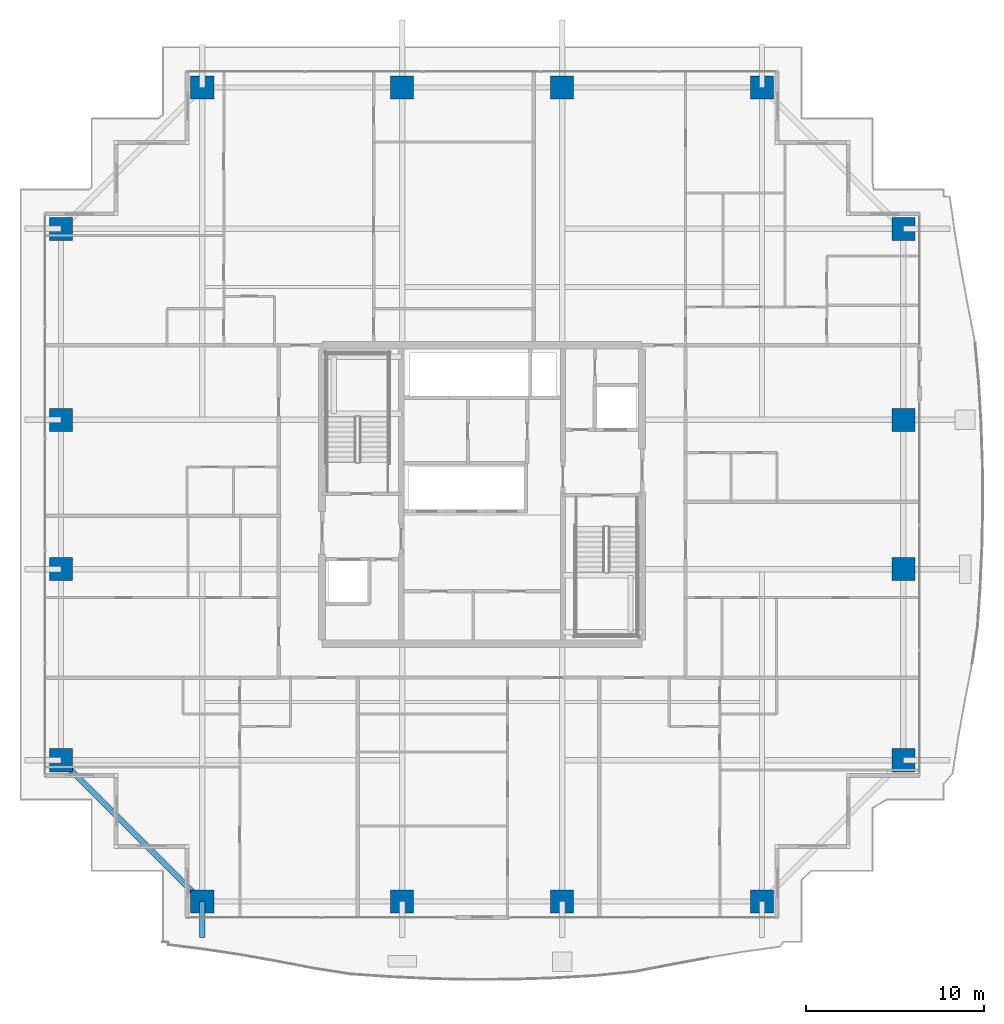
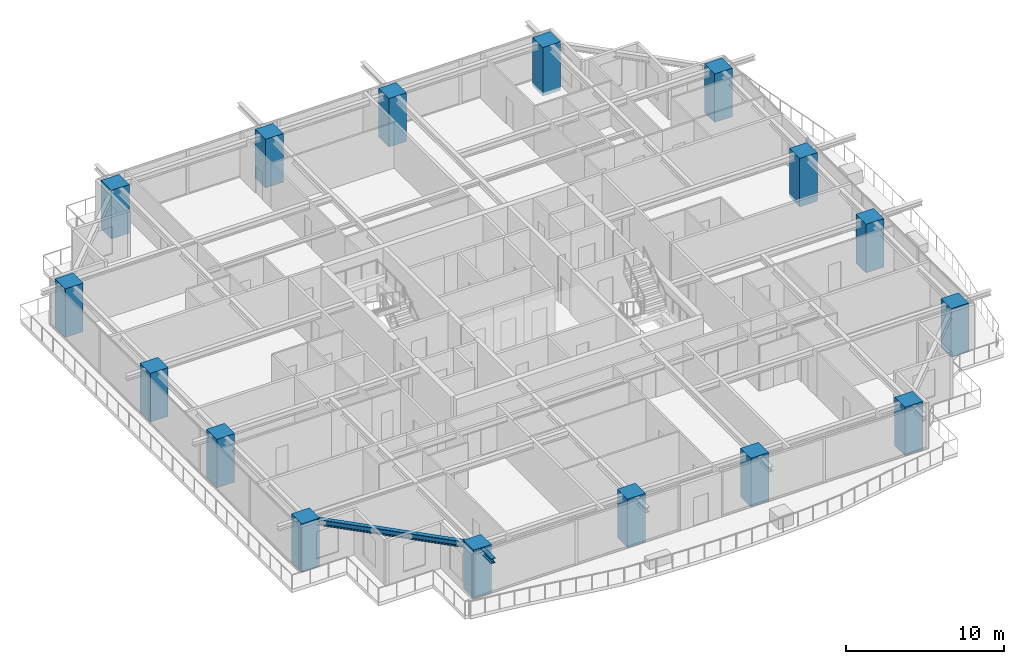
# One storey, part 1 of 36: 16 columns, 2 beams.
"""IFC4 building model written with IfcOpenShell, lengths in metres."""

from ifc_helpers import new_model, si_unit, direction, frame, origin, origin_2d, place, context, subcontext, project, spatial, rectangle, i_section, extrude, source, transform, mapped, material, material_profile, profile_set, type_object, element, save


model = new_model("IFC4")

# Units and contexts
model_context = context("Model", 3, precision=1e-05, world=origin(), true_north=direction((0.0, 1.0)))
body_context = subcontext(model_context, "Body", "Model", "MODEL_VIEW")
ifc_project = project(units=[si_unit("LENGTHUNIT", "METRE"), si_unit("AREAUNIT", "SQUARE_METRE"), si_unit("VOLUMEUNIT", "CUBIC_METRE"), si_unit("PLANEANGLEUNIT", "RADIAN"), si_unit("MASSUNIT", "GRAM", prefix="KILO")], contexts=[model_context])

# Site, building, storey
site_placement = place(None, origin())
site = spatial("IfcSite", under=ifc_project, at=site_placement, CompositionType="ELEMENT")
building_placement = place(site_placement, origin())
building = spatial("IfcBuilding", under=site, at=building_placement, Name="Serunith Strait Residences", CompositionType="ELEMENT")
storey_placement = place(building_placement, frame((0.0, 0.0, 131.39990234375)))
storey = spatial("IfcBuildingStorey", under=building, at=storey_placement, Name="L32", CompositionType="ELEMENT", Elevation=131.39990234375)

# Columns
ifc_material_1 = material(Name="Concrete C80/95", Category="concrete")
ifc_material_profile_1 = material_profile(ifc_material_1, rectangle(XDim=1.300048828125, YDim=1.300048828125, at=origin_2d()), Name="RC 1300x1300")
ifc_profile_set_1 = profile_set([ifc_material_profile_1], Name="Concrete C80/95")
column_type = type_object("IfcColumnType", Name="COL-RC-1300", PredefinedType="COLUMN", material=ifc_profile_set_1)
shared_shape_1 = source(origin(), body_context, "Body", "SweptSolid", [
    extrude(rectangle(XDim=1.300048828125, YDim=1.300048828125, at=origin_2d()), origin(), (0.0, 0.0, 1.0), 3.75),
])
for number, where, z_axis, x_axis, name in (
    (1, (16.64990234375, 2.300048828125, -0.260009765625), (0.0, 0.0, 1.0), (1.0, 0.0, 0.0), "L32 Tower Mega-Column TC-S1"),
    (2, (27.89990234375, 2.300048828125, -0.260009765625), (0.0, 0.0, 1.0), (1.0, 0.0, 0.0), "L32 Tower Mega-Column TC-S2"),
    (3, (36.89990234375, 2.300048828125, -0.260009765625), (0.0, 0.0, 1.0), (1.0, 0.0, 0.0), "L32 Tower Mega-Column TC-S3"),
    (4, (48.14990234375, 2.300048828125, -0.260009765625), (0.0, 0.0, 1.0), (1.0, 0.0, 0.0), "L32 Tower Mega-Column TC-S4"),
    (5, (16.64990234375, 48.10009765625, -0.260009765625), (0.0, 0.0, 1.0), (1.0, 0.0, 0.0), "L32 Tower Mega-Column TC-N1"),
    (6, (27.89990234375, 48.10009765625, -0.260009765625), (0.0, 0.0, 1.0), (1.0, 0.0, 0.0), "L32 Tower Mega-Column TC-N2"),
    (7, (36.89990234375, 48.10009765625, -0.260009765625), (0.0, 0.0, 1.0), (1.0, 0.0, 0.0), "L32 Tower Mega-Column TC-N3"),
    (8, (48.14990234375, 48.10009765625, -0.260009765625), (0.0, 0.0, 1.0), (1.0, 0.0, 0.0), "L32 Tower Mega-Column TC-N4"),
    (9, (56.10009765625, 10.25, -0.260009765625), (0.0, 0.0, 1.0), (1.0, 0.0, 0.0), "L32 Tower Mega-Column TC-E1"),
    (10, (56.10009765625, 21.0, -0.260009765625), (0.0, 0.0, 1.0), (1.0, 0.0, 0.0), "L32 Tower Mega-Column TC-E2"),
    (11, (56.10009765625, 29.39990234375, -0.260009765625), (0.0, 0.0, 1.0), (1.0, 0.0, 0.0), "L32 Tower Mega-Column TC-E3"),
    (12, (56.10009765625, 40.14990234375, -0.260009765625), (0.0, 0.0, 1.0), (1.0, 0.0, 0.0), "L32 Tower Mega-Column TC-E4"),
    (13, (8.699951171875, 10.25, -0.260009765625), (0.0, 0.0, 1.0), (1.0, 0.0, 0.0), "L32 Tower Mega-Column TC-W1"),
    (14, (8.699951171875, 21.0, -0.260009765625), (0.0, 0.0, 1.0), (1.0, 0.0, 0.0), "L32 Tower Mega-Column TC-W2"),
    (15, (8.699951171875, 29.39990234375, -0.260009765625), (0.0, 0.0, 1.0), (1.0, 0.0, 0.0), "L32 Tower Mega-Column TC-W3"),
    (16, (8.699951171875, 40.14990234375, -0.260009765625), (0.0, 0.0, 1.0), (1.0, 0.0, 0.0), "L32 Tower Mega-Column TC-W4"),
):
    element("IfcColumn", number, at=place(storey_placement, frame(where, z_axis=z_axis, x_axis=x_axis)), inside=storey, type_object=column_type, Name=name, PredefinedType="COLUMN", context=body_context, shape_type="MappedRepresentation", body=[
        mapped(shared_shape_1, transform((0.0, 0.0, 0.0), scale=1.0)),
    ])

# Beams
ifc_material_2 = material(Name="Steel S355J2", Category="steel")
ifc_material_profile_2 = material_profile(ifc_material_2, i_section(OverallWidth=0.300048828125, OverallDepth=0.449951171875, WebThickness=0.013916015625, FlangeThickness=0.02587890625, FilletRadius=0.027099609375, at=origin_2d()), Name="HEB 450")
ifc_profile_set_2 = profile_set([ifc_material_profile_2], Name="Steel S355J2")
beam_type_1 = type_object("IfcBeamType", Name="BM-HEB450", PredefinedType="BEAM", material=ifc_profile_set_2)
shared_shape_2 = source(origin(), body_context, "Body", "SweptSolid", [
    extrude(i_section(OverallWidth=0.300048828125, OverallDepth=0.449951171875, WebThickness=0.013916015625, FlangeThickness=0.02587890625, FilletRadius=0.027099609375, at=origin_2d()), origin(), (0.0, 0.0, 1.0), 11.242919921875),
])
beam_1_placement = place(storey_placement, frame((8.699951171875, 10.25, 3.232177734375), z_axis=(0.707106781187, -0.707106781187, 0.0), x_axis=(0.707106781187, 0.707106781187, 0.0)))
element("IfcBeam", 17, at=beam_1_placement, inside=storey, type_object=beam_type_1, Name="L32 Perimeter Ring Beam 16", PredefinedType="BEAM", context=body_context, shape_type="MappedRepresentation", body=[
    mapped(shared_shape_2, transform((0.0, 0.0, 0.0), scale=1.0)),
])
ifc_material_profile_3 = material_profile(ifc_material_2, i_section(OverallWidth=0.300048828125, OverallDepth=0.360107421875, WebThickness=0.012451171875, FlangeThickness=0.0224609375, FilletRadius=0.027099609375, at=origin_2d()), Name="HEB 360")
ifc_profile_set_3 = profile_set([ifc_material_profile_3], Name="Steel S355J2")
beam_type_2 = type_object("IfcBeamType", Name="BM-HEB360", PredefinedType="BEAM", material=ifc_profile_set_3)
shared_shape_3 = source(origin(), body_context, "Body", "SweptSolid", [
    extrude(i_section(OverallWidth=0.300048828125, OverallDepth=0.360107421875, WebThickness=0.012451171875, FlangeThickness=0.0224609375, FilletRadius=0.027099609375, at=origin_2d()), origin(), (0.0, 0.0, 1.0), 2.030029296875),
])
beam_2_placement = place(storey_placement, frame((16.64990234375, 2.300048828125, 3.277099609375), z_axis=(0.0, -1.0, 0.0), x_axis=(1.0, 0.0, 0.0)))
element("IfcBeam", 18, at=beam_2_placement, inside=storey, type_object=beam_type_2, Name="L33 Cantilevered Balcony Rib TC-S1", PredefinedType="BEAM", context=body_context, shape_type="MappedRepresentation", body=[
    mapped(shared_shape_3, transform((0.0, 0.0, 0.0), scale=1.0)),
])

save(model, "model.ifc")
